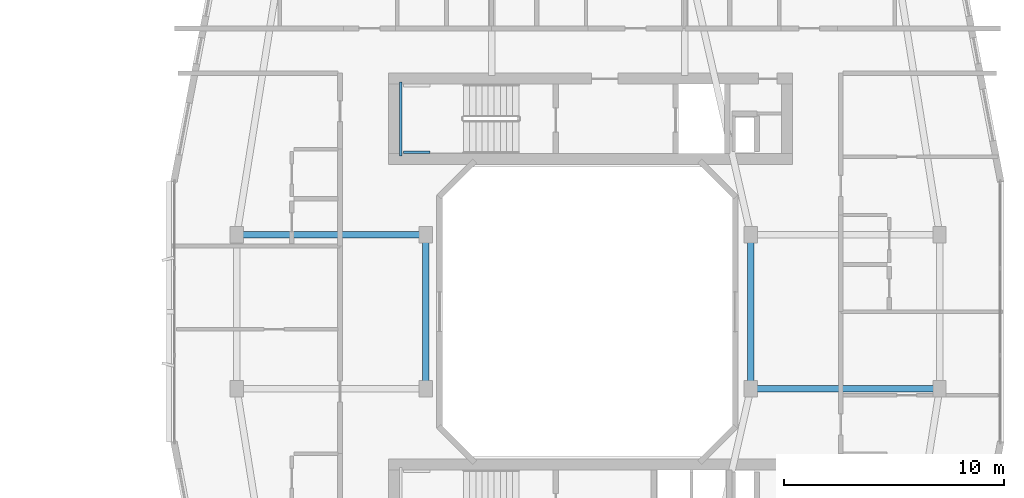
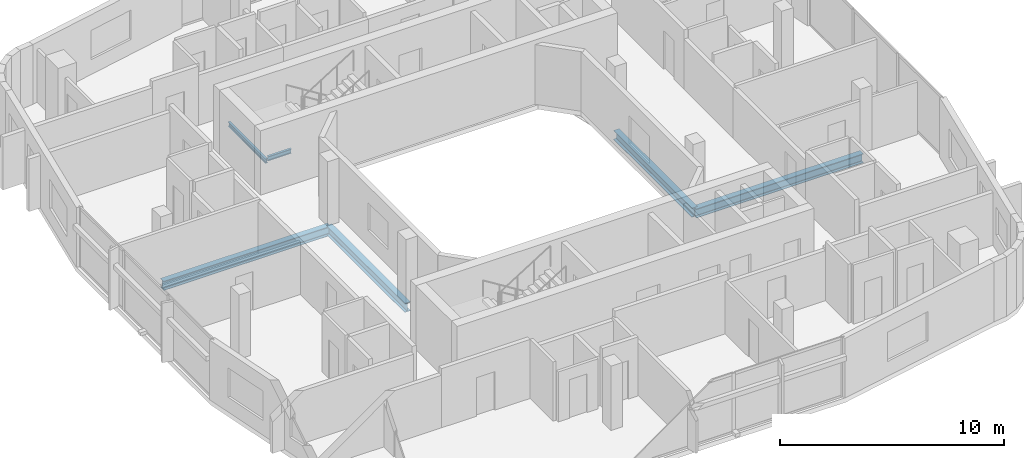
# One storey, part 9 of 27: 6 beams.
"""IFC4 building model written with IfcOpenShell, lengths in metres."""

from ifc_helpers import new_model, si_unit, derived_unit, direction, frame, origin, origin_2d, place, context, subcontext, project, spatial, i_section, extrude, material, material_profile, profile_set, type_object, element, save


model = new_model("IFC4")

# Units and contexts
model_context = context("Model", 3, precision=1e-05, world=origin(), true_north=direction((0.0, 1.0)))
body_context = subcontext(model_context, "Body", "Model", "MODEL_VIEW")
ifc_project = project(units=[si_unit("LENGTHUNIT", "METRE"), si_unit("AREAUNIT", "SQUARE_METRE"), si_unit("VOLUMEUNIT", "CUBIC_METRE"), si_unit("PLANEANGLEUNIT", "RADIAN"), si_unit("MASSUNIT", "GRAM", prefix="KILO"), derived_unit("THERMALTRANSMITTANCEUNIT", [(si_unit("POWERUNIT", "WATT"), 1), (si_unit("LENGTHUNIT", "METRE"), -2), (si_unit("THERMODYNAMICTEMPERATUREUNIT", "KELVIN"), -1)])], contexts=[model_context])

# Site, building, storey
site_placement = place(None, origin())
site = spatial("IfcSite", under=ifc_project, at=site_placement, CompositionType="ELEMENT")
building_placement = place(site_placement, origin())
building = spatial("IfcBuilding", under=site, at=building_placement, Name="Kivonza Crest Hotel", CompositionType="ELEMENT")
storey_placement = place(building_placement, frame((0.0, 0.0, 73.0)))
storey = spatial("IfcBuildingStorey", under=building, at=storey_placement, Name="L19", CompositionType="ELEMENT", Elevation=73.0)

# Beams
ifc_material = material(Name="Steel S355", Category="steel")
ifc_material_profile_1 = material_profile(ifc_material, i_section(OverallWidth=0.300048828125, OverallDepth=0.5, WebThickness=0.014404296875, FlangeThickness=0.028076171875, FilletRadius=0.027099609375, at=origin_2d()), Name="HEB 500")
ifc_profile_set_1 = profile_set([ifc_material_profile_1], Name="Steel S355")
beam_type_1 = type_object("IfcBeamType", Name="BM-HEB500", PredefinedType="BEAM", material=ifc_profile_set_1)
beam_1_placement = place(storey_placement, frame((61.0, 28.5, -0.5), z_axis=(1.0, 0.0, 0.0), x_axis=(0.0, 1.0, 0.0)))
element("IfcBeam", 1, at=beam_1_placement, inside=storey, type_object=beam_type_1, Name="Companion Tower T2 L19 girder W2-WL2", PredefinedType="BEAM", context=body_context, shape_type="SweptSolid", body=[
    extrude(i_section(OverallWidth=0.300048828125, OverallDepth=0.5, WebThickness=0.014404296875, FlangeThickness=0.028076171875, FilletRadius=0.027099609375, at=origin_2d()), origin(), (0.0, 0.0, 1.0), 8.60009765625),
])
beam_2_placement = place(storey_placement, frame((69.60009765625, 21.5, -0.5), z_axis=(0.0, 1.0, 0.0), x_axis=(-1.0, 0.0, 0.0)))
element("IfcBeam", 2, at=beam_2_placement, inside=storey, type_object=beam_type_1, Name="Companion Tower T2 L19 girder WL1-WL2", PredefinedType="BEAM", context=body_context, shape_type="SweptSolid", body=[
    extrude(i_section(OverallWidth=0.300048828125, OverallDepth=0.5, WebThickness=0.014404296875, FlangeThickness=0.028076171875, FilletRadius=0.027099609375, at=origin_2d()), origin(), (0.0, 0.0, 1.0), 7.0),
])
beam_3_placement = place(storey_placement, frame((84.39990234375, 21.5, -0.5), z_axis=(1.0, 0.0, 0.0), x_axis=(0.0, 1.0, 0.0)))
element("IfcBeam", 3, at=beam_3_placement, inside=storey, type_object=beam_type_1, Name="Companion Tower T2 L19 girder WR1-E1", PredefinedType="BEAM", context=body_context, shape_type="SweptSolid", body=[
    extrude(i_section(OverallWidth=0.300048828125, OverallDepth=0.5, WebThickness=0.014404296875, FlangeThickness=0.028076171875, FilletRadius=0.027099609375, at=origin_2d()), origin(), (0.0, 0.0, 1.0), 8.60009765625),
])
beam_4_placement = place(storey_placement, frame((84.39990234375, 21.5, -0.5), z_axis=(0.0, 1.0, 0.0), x_axis=(-1.0, 0.0, 0.0)))
element("IfcBeam", 4, at=beam_4_placement, inside=storey, type_object=beam_type_1, Name="Companion Tower T2 L19 girder WR1-WR2", PredefinedType="BEAM", context=body_context, shape_type="SweptSolid", body=[
    extrude(i_section(OverallWidth=0.300048828125, OverallDepth=0.5, WebThickness=0.014404296875, FlangeThickness=0.028076171875, FilletRadius=0.027099609375, at=origin_2d()), origin(), (0.0, 0.0, 1.0), 7.0),
])
ifc_material_profile_2 = material_profile(ifc_material, i_section(OverallWidth=0.1201171875, OverallDepth=0.239990234375, WebThickness=0.006103515625, FlangeThickness=0.009765625, FilletRadius=0.014892578125, at=origin_2d()), Name="IPE 240")
ifc_profile_set_2 = profile_set([ifc_material_profile_2], Name="Steel S355")
beam_type_2 = type_object("IfcBeamType", Name="BM-LLDG-240", PredefinedType="BEAM", material=ifc_profile_set_2)
beam_5_placement = place(storey_placement, frame((68.4599609375, 32.10009765625, 1.429931640625), z_axis=(0.0, 1.0, 0.0), x_axis=(-1.0, 0.0, 0.0)))
element("IfcBeam", 5, at=beam_5_placement, inside=storey, type_object=beam_type_2, Name="Stair ST-T2-N L19 West landing corbel", PredefinedType="BEAM", context=body_context, shape_type="SweptSolid", body=[
    extrude(i_section(OverallWidth=0.1201171875, OverallDepth=0.239990234375, WebThickness=0.006103515625, FlangeThickness=0.009765625, FilletRadius=0.014892578125, at=origin_2d()), origin(), (0.0, 0.0, 1.0), 3.35986328125),
])
beam_6_placement = place(storey_placement, frame((68.590087890625, 32.260009765625, 1.429931640625), z_axis=(1.0, 0.0, 0.0), x_axis=(0.0, 1.0, 0.0)))
element("IfcBeam", 6, at=beam_6_placement, inside=storey, type_object=beam_type_2, Name="Stair ST-T2-N L19 South landing corbel", PredefinedType="BEAM", context=body_context, shape_type="SweptSolid", body=[
    extrude(i_section(OverallWidth=0.1201171875, OverallDepth=0.239990234375, WebThickness=0.006103515625, FlangeThickness=0.009765625, FilletRadius=0.014892578125, at=origin_2d()), origin(), (0.0, 0.0, 1.0), 1.2099609375),
])

save(model, "model.ifc")
